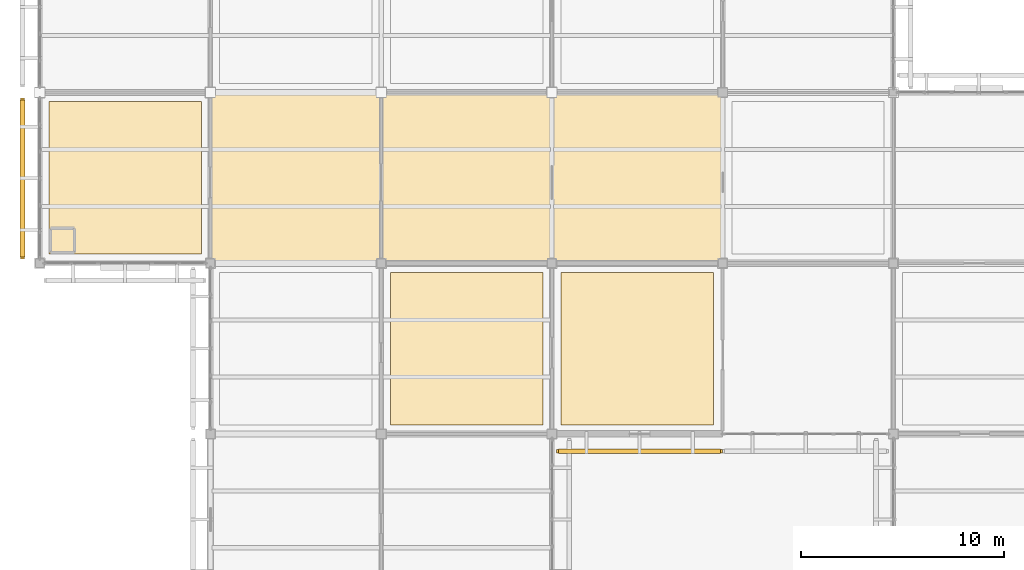
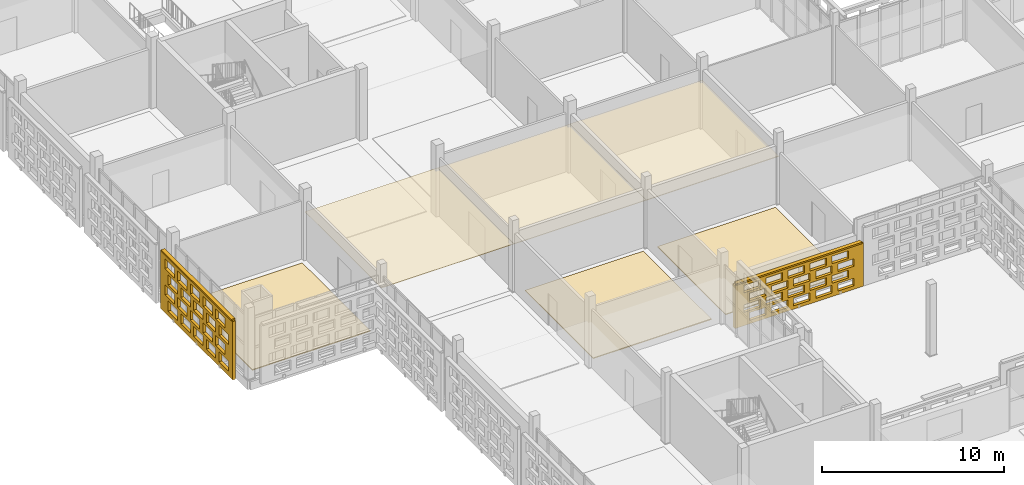
# One storey, part 143 of 203: 8 coverings, 2 shading devices, 40 openings.
"""IFC4 building model written with IfcOpenShell, lengths in metres."""

from ifc_helpers import new_model, si_unit, direction, frame, frame_2d, origin, origin_2d, place, context, subcontext, project, spatial, rectangle, extrude, material, layer, layer_set, type_object, element, save


model = new_model("IFC4")

# Units and contexts
model_context = context("Model", 3, precision=1e-05, world=origin(), true_north=direction((0.0, 1.0)))
body_context = subcontext(model_context, "Body", "Model", "MODEL_VIEW")
ifc_project = project(units=[si_unit("LENGTHUNIT", "METRE"), si_unit("AREAUNIT", "SQUARE_METRE"), si_unit("VOLUMEUNIT", "CUBIC_METRE"), si_unit("PLANEANGLEUNIT", "RADIAN"), si_unit("MASSUNIT", "GRAM", prefix="KILO")], contexts=[model_context])

# Site, building, storey
site_placement = place(None, origin())
site = spatial("IfcSite", under=ifc_project, at=site_placement, CompositionType="ELEMENT")
building_placement = place(site_placement, origin())
building = spatial("IfcBuilding", under=site, at=building_placement, Name="Varnapada Polytechnic", CompositionType="ELEMENT")
storey_placement = place(building_placement, frame((0.0, 0.0, 4.800048828125)))
storey = spatial("IfcBuildingStorey", under=building, at=storey_placement, Name="L01", CompositionType="ELEMENT", Elevation=4.800048828125)

# Coverings
ifc_material_1 = material(Name="Anti-Static Raised Laboratory Flooring")
ifc_layer_1 = layer(ifc_material_1, 0.06005859375)
ifc_layer_set_1 = layer_set([ifc_layer_1], Name="Anti-Static Raised Laboratory Flooring")
covering_type_1 = type_object("IfcCoveringType", Name="Floor Finish FLR-02", PredefinedType="FLOORING", material=ifc_layer_set_1)
for number, where, z_axis, x_axis, name in (
    (1, (4.199951171875, 46.199951171875, 0.0), (0.0, 0.0, 1.0), (1.0, 0.0, 0.0), "L01 floor finish panel (1,6)"),
    (2, (21.0, 37.800048828125, 0.0), (0.0, 0.0, 1.0), (1.0, 0.0, 0.0), "L01 floor finish panel (3,5)"),
    (3, (29.39990234375, 37.800048828125, 0.0), (0.0, 0.0, 1.0), (1.0, 0.0, 0.0), "L01 floor finish panel (4,5)"),
):
    element("IfcCovering", number, at=place(storey_placement, frame(where, z_axis=z_axis, x_axis=x_axis)), inside=storey, type_object=covering_type_1, Name=name, PredefinedType="FLOORING", context=body_context, shape_type="SweptSolid", body=[
        extrude(rectangle(XDim=7.5, YDim=7.5, at=origin_2d()), origin(), (0.0, 0.0, 1.0), 0.06005859375),
    ])
ifc_material_2 = material(Name="Moisture-Resistant Aluminum Baffle Ceiling", Category="aluminium")
ifc_layer_2 = layer(ifc_material_2, 0.030029296875)
ifc_layer_set_2 = layer_set([ifc_layer_2], Name="Moisture-Resistant Aluminum Baffle Ceiling")
covering_type_2 = type_object("IfcCoveringType", Name="Suspended Ceiling CLG-03", PredefinedType="CEILING", material=ifc_layer_set_2)
covering_1_placement = place(storey_placement, frame((12.60009765625, 46.199951171875, 3.03515625), z_axis=(0.0, 0.0, 1.0), x_axis=(1.0, 0.0, 0.0)))
element("IfcCovering", 4, at=covering_1_placement, inside=storey, type_object=covering_type_2, Name="L01 suspended acoustic ceiling (2,6)", PredefinedType="CEILING", context=body_context, shape_type="SweptSolid", body=[
    extrude(rectangle(XDim=8.419921875, YDim=8.419921875, at=origin_2d()), origin(), (0.0, 0.0, 1.0), 0.030029296875),
])
ifc_material_3 = material(Name="Micro-Perforated Gypsum Acoustic Ceiling")
ifc_layer_3 = layer(ifc_material_3, 0.044921875)
ifc_layer_set_3 = layer_set([ifc_layer_3], Name="Micro-Perforated Gypsum Acoustic Ceiling")
covering_type_3 = type_object("IfcCoveringType", Name="Suspended Ceiling CLG-04", PredefinedType="CEILING", material=ifc_layer_set_3)
covering_2_placement = place(storey_placement, frame((29.39990234375, 46.199951171875, 3.027587890625), z_axis=(0.0, 0.0, 1.0), x_axis=(1.0, 0.0, 0.0)))
element("IfcCovering", 5, at=covering_2_placement, inside=storey, type_object=covering_type_3, Name="L01 suspended acoustic ceiling (4,6)", PredefinedType="CEILING", context=body_context, shape_type="SweptSolid", body=[
    extrude(rectangle(XDim=8.419921875, YDim=8.419921875, at=origin_2d()), origin(), (0.0, 0.0, 1.0), 0.044921875),
])
ifc_material_4 = material(Name="Cleanroom Laboratory Metal Pan Ceiling")
ifc_layer_4 = layer(ifc_material_4, 0.034912109375)
ifc_layer_set_4 = layer_set([ifc_layer_4], Name="Cleanroom Laboratory Metal Pan Ceiling")
covering_type_4 = type_object("IfcCoveringType", Name="Suspended Ceiling CLG-06", PredefinedType="CEILING", material=ifc_layer_set_4)
covering_3_placement = place(storey_placement, frame((21.0, 46.199951171875, 3.03271484375), z_axis=(0.0, 0.0, 1.0), x_axis=(1.0, 0.0, 0.0)))
element("IfcCovering", 6, at=covering_3_placement, inside=storey, type_object=covering_type_4, Name="L01 suspended acoustic ceiling (3,6)", PredefinedType="CEILING", context=body_context, shape_type="SweptSolid", body=[
    extrude(rectangle(XDim=8.419921875, YDim=8.419921875, at=origin_2d()), origin(), (0.0, 0.0, 1.0), 0.034912109375),
])

# Covering, openings
ifc_material_5 = material(Name="Earth-toned architectural terracotta screen block", Category="masonry")
ifc_layer_5 = layer(ifc_material_5, 0.1201171875)
ifc_layer_set_5 = layer_set([ifc_layer_5], Name="Earth-toned architectural terracotta screen block")
covering_type_5 = type_object("IfcCoveringType", Name="Terracotta Screen Cladding CLD-01", PredefinedType="CLADDING", material=ifc_layer_set_5)
covering_4_placement = place(storey_placement, frame((-0.85009765625, 42.2099609375, 0.0), z_axis=(0.0, 0.0, 1.0), x_axis=(0.0, 1.0, 0.0)))
covering_4 = element("IfcCovering", 7, at=covering_4_placement, inside=storey, type_object=covering_type_5, Name="L01 perforated terracotta block screen (2)", PredefinedType="CLADDING", context=body_context, shape_type="SweptSolid", body=[
    extrude(rectangle(XDim=7.929931640625, YDim=0.179931640625, at=frame_2d((3.96484375, 0.0))), origin(), (0.0, 0.0, 1.0), 3.919921875),
])
opening_1_placement = place(covering_4_placement, frame((0.465087890625, 0.0, 0.313720703125)))
element("IfcOpeningElement", 8, at=opening_1_placement, cuts=covering_4, Name="Screen perforation TBS-L01-001.1", PredefinedType="OPENING", context=body_context, shape_type="SweptSolid", body=[
    extrude(rectangle(XDim=1.0400390625, YDim=0.679931640625, at=frame_2d((0.52001953125, 0.33984375))), frame((0.0, 0.099853515625, 0.0), z_axis=(0.0, -1.0, 0.0), x_axis=(1.0, 0.0, 0.0)), (0.0, 0.0, 1.0), 0.199951171875),
])
opening_2_placement = place(covering_4_placement, frame((1.864990234375, 0.0, 0.313720703125)))
element("IfcOpeningElement", 9, at=opening_2_placement, cuts=covering_4, Name="Screen perforation TBS-L01-001.2", PredefinedType="OPENING", context=body_context, shape_type="SweptSolid", body=[
    extrude(rectangle(XDim=1.0400390625, YDim=0.679931640625, at=frame_2d((0.52001953125, 0.33984375))), frame((0.0, 0.099853515625, 0.0), z_axis=(0.0, -1.0, 0.0), x_axis=(1.0, 0.0, 0.0)), (0.0, 0.0, 1.0), 0.199951171875),
])
opening_3_placement = place(covering_4_placement, frame((3.264892578125, 0.0, 0.313720703125)))
element("IfcOpeningElement", 10, at=opening_3_placement, cuts=covering_4, Name="Screen perforation TBS-L01-001.3", PredefinedType="OPENING", context=body_context, shape_type="SweptSolid", body=[
    extrude(rectangle(XDim=1.0400390625, YDim=0.679931640625, at=frame_2d((0.52001953125, 0.33984375))), frame((0.0, 0.099853515625, 0.0), z_axis=(0.0, -1.0, 0.0), x_axis=(1.0, 0.0, 0.0)), (0.0, 0.0, 1.0), 0.199951171875),
])
opening_4_placement = place(covering_4_placement, frame((4.6650390625, 0.0, 0.313720703125)))
element("IfcOpeningElement", 11, at=opening_4_placement, cuts=covering_4, Name="Screen perforation TBS-L01-001.4", PredefinedType="OPENING", context=body_context, shape_type="SweptSolid", body=[
    extrude(rectangle(XDim=1.0400390625, YDim=0.679931640625, at=frame_2d((0.52001953125, 0.33984375))), frame((0.0, 0.099853515625, 0.0), z_axis=(0.0, -1.0, 0.0), x_axis=(1.0, 0.0, 0.0)), (0.0, 0.0, 1.0), 0.199951171875),
])
opening_5_placement = place(covering_4_placement, frame((6.06494140625, 0.0, 0.313720703125)))
element("IfcOpeningElement", 12, at=opening_5_placement, cuts=covering_4, Name="Screen perforation TBS-L01-001.5", PredefinedType="OPENING", context=body_context, shape_type="SweptSolid", body=[
    extrude(rectangle(XDim=1.0400390625, YDim=0.679931640625, at=frame_2d((0.52001953125, 0.33984375))), frame((0.0, 0.099853515625, 0.0), z_axis=(0.0, -1.0, 0.0), x_axis=(1.0, 0.0, 0.0)), (0.0, 0.0, 1.0), 0.199951171875),
])
opening_6_placement = place(covering_4_placement, frame((0.824951171875, 0.0, 1.195556640625)))
element("IfcOpeningElement", 13, at=opening_6_placement, cuts=covering_4, Name="Screen perforation TBS-L01-001.6", PredefinedType="OPENING", context=body_context, shape_type="SweptSolid", body=[
    extrude(rectangle(XDim=1.0400390625, YDim=0.679931640625, at=frame_2d((0.52001953125, 0.33984375))), frame((0.0, 0.099853515625, 0.0), z_axis=(0.0, -1.0, 0.0), x_axis=(1.0, 0.0, 0.0)), (0.0, 0.0, 1.0), 0.199951171875),
])
opening_7_placement = place(covering_4_placement, frame((2.22509765625, 0.0, 1.195556640625)))
element("IfcOpeningElement", 14, at=opening_7_placement, cuts=covering_4, Name="Screen perforation TBS-L01-001.7", PredefinedType="OPENING", context=body_context, shape_type="SweptSolid", body=[
    extrude(rectangle(XDim=1.0400390625, YDim=0.679931640625, at=frame_2d((0.52001953125, 0.33984375))), frame((0.0, 0.099853515625, 0.0), z_axis=(0.0, -1.0, 0.0), x_axis=(1.0, 0.0, 0.0)), (0.0, 0.0, 1.0), 0.199951171875),
])
opening_8_placement = place(covering_4_placement, frame((3.625, 0.0, 1.195556640625)))
element("IfcOpeningElement", 15, at=opening_8_placement, cuts=covering_4, Name="Screen perforation TBS-L01-001.8", PredefinedType="OPENING", context=body_context, shape_type="SweptSolid", body=[
    extrude(rectangle(XDim=1.0400390625, YDim=0.679931640625, at=frame_2d((0.52001953125, 0.33984375))), frame((0.0, 0.099853515625, 0.0), z_axis=(0.0, -1.0, 0.0), x_axis=(1.0, 0.0, 0.0)), (0.0, 0.0, 1.0), 0.199951171875),
])
opening_9_placement = place(covering_4_placement, frame((5.02490234375, 0.0, 1.195556640625)))
element("IfcOpeningElement", 16, at=opening_9_placement, cuts=covering_4, Name="Screen perforation TBS-L01-001.9", PredefinedType="OPENING", context=body_context, shape_type="SweptSolid", body=[
    extrude(rectangle(XDim=1.0400390625, YDim=0.679931640625, at=frame_2d((0.52001953125, 0.33984375))), frame((0.0, 0.099853515625, 0.0), z_axis=(0.0, -1.0, 0.0), x_axis=(1.0, 0.0, 0.0)), (0.0, 0.0, 1.0), 0.199951171875),
])
opening_10_placement = place(covering_4_placement, frame((6.425048828125, 0.0, 1.195556640625)))
element("IfcOpeningElement", 17, at=opening_10_placement, cuts=covering_4, Name="Screen perforation TBS-L01-001.10", PredefinedType="OPENING", context=body_context, shape_type="SweptSolid", body=[
    extrude(rectangle(XDim=1.0400390625, YDim=0.679931640625, at=frame_2d((0.52001953125, 0.33984375))), frame((0.0, 0.099853515625, 0.0), z_axis=(0.0, -1.0, 0.0), x_axis=(1.0, 0.0, 0.0)), (0.0, 0.0, 1.0), 0.199951171875),
])
opening_11_placement = place(covering_4_placement, frame((0.465087890625, 0.0, 2.07763671875)))
element("IfcOpeningElement", 18, at=opening_11_placement, cuts=covering_4, Name="Screen perforation TBS-L01-001.11", PredefinedType="OPENING", context=body_context, shape_type="SweptSolid", body=[
    extrude(rectangle(XDim=1.0400390625, YDim=0.679931640625, at=frame_2d((0.52001953125, 0.33984375))), frame((0.0, 0.099853515625, 0.0), z_axis=(0.0, -1.0, 0.0), x_axis=(1.0, 0.0, 0.0)), (0.0, 0.0, 1.0), 0.199951171875),
])
opening_12_placement = place(covering_4_placement, frame((1.864990234375, 0.0, 2.07763671875)))
element("IfcOpeningElement", 19, at=opening_12_placement, cuts=covering_4, Name="Screen perforation TBS-L01-001.12", PredefinedType="OPENING", context=body_context, shape_type="SweptSolid", body=[
    extrude(rectangle(XDim=1.0400390625, YDim=0.679931640625, at=frame_2d((0.52001953125, 0.33984375))), frame((0.0, 0.099853515625, 0.0), z_axis=(0.0, -1.0, 0.0), x_axis=(1.0, 0.0, 0.0)), (0.0, 0.0, 1.0), 0.199951171875),
])
opening_13_placement = place(covering_4_placement, frame((3.264892578125, 0.0, 2.07763671875)))
element("IfcOpeningElement", 20, at=opening_13_placement, cuts=covering_4, Name="Screen perforation TBS-L01-001.13", PredefinedType="OPENING", context=body_context, shape_type="SweptSolid", body=[
    extrude(rectangle(XDim=1.0400390625, YDim=0.679931640625, at=frame_2d((0.52001953125, 0.33984375))), frame((0.0, 0.099853515625, 0.0), z_axis=(0.0, -1.0, 0.0), x_axis=(1.0, 0.0, 0.0)), (0.0, 0.0, 1.0), 0.199951171875),
])
opening_14_placement = place(covering_4_placement, frame((4.6650390625, 0.0, 2.07763671875)))
element("IfcOpeningElement", 21, at=opening_14_placement, cuts=covering_4, Name="Screen perforation TBS-L01-001.14", PredefinedType="OPENING", context=body_context, shape_type="SweptSolid", body=[
    extrude(rectangle(XDim=1.0400390625, YDim=0.679931640625, at=frame_2d((0.52001953125, 0.33984375))), frame((0.0, 0.099853515625, 0.0), z_axis=(0.0, -1.0, 0.0), x_axis=(1.0, 0.0, 0.0)), (0.0, 0.0, 1.0), 0.199951171875),
])
opening_15_placement = place(covering_4_placement, frame((6.06494140625, 0.0, 2.07763671875)))
element("IfcOpeningElement", 22, at=opening_15_placement, cuts=covering_4, Name="Screen perforation TBS-L01-001.15", PredefinedType="OPENING", context=body_context, shape_type="SweptSolid", body=[
    extrude(rectangle(XDim=1.0400390625, YDim=0.679931640625, at=frame_2d((0.52001953125, 0.33984375))), frame((0.0, 0.099853515625, 0.0), z_axis=(0.0, -1.0, 0.0), x_axis=(1.0, 0.0, 0.0)), (0.0, 0.0, 1.0), 0.199951171875),
])
opening_16_placement = place(covering_4_placement, frame((0.824951171875, 0.0, 2.959716796875)))
element("IfcOpeningElement", 23, at=opening_16_placement, cuts=covering_4, Name="Screen perforation TBS-L01-001.16", PredefinedType="OPENING", context=body_context, shape_type="SweptSolid", body=[
    extrude(rectangle(XDim=1.0400390625, YDim=0.679931640625, at=frame_2d((0.52001953125, 0.33984375))), frame((0.0, 0.099853515625, 0.0), z_axis=(0.0, -1.0, 0.0), x_axis=(1.0, 0.0, 0.0)), (0.0, 0.0, 1.0), 0.199951171875),
])
opening_17_placement = place(covering_4_placement, frame((2.22509765625, 0.0, 2.959716796875)))
element("IfcOpeningElement", 24, at=opening_17_placement, cuts=covering_4, Name="Screen perforation TBS-L01-001.17", PredefinedType="OPENING", context=body_context, shape_type="SweptSolid", body=[
    extrude(rectangle(XDim=1.0400390625, YDim=0.679931640625, at=frame_2d((0.52001953125, 0.33984375))), frame((0.0, 0.099853515625, 0.0), z_axis=(0.0, -1.0, 0.0), x_axis=(1.0, 0.0, 0.0)), (0.0, 0.0, 1.0), 0.199951171875),
])
opening_18_placement = place(covering_4_placement, frame((3.625, 0.0, 2.959716796875)))
element("IfcOpeningElement", 25, at=opening_18_placement, cuts=covering_4, Name="Screen perforation TBS-L01-001.18", PredefinedType="OPENING", context=body_context, shape_type="SweptSolid", body=[
    extrude(rectangle(XDim=1.0400390625, YDim=0.679931640625, at=frame_2d((0.52001953125, 0.33984375))), frame((0.0, 0.099853515625, 0.0), z_axis=(0.0, -1.0, 0.0), x_axis=(1.0, 0.0, 0.0)), (0.0, 0.0, 1.0), 0.199951171875),
])
opening_19_placement = place(covering_4_placement, frame((5.02490234375, 0.0, 2.959716796875)))
element("IfcOpeningElement", 26, at=opening_19_placement, cuts=covering_4, Name="Screen perforation TBS-L01-001.19", PredefinedType="OPENING", context=body_context, shape_type="SweptSolid", body=[
    extrude(rectangle(XDim=1.0400390625, YDim=0.679931640625, at=frame_2d((0.52001953125, 0.33984375))), frame((0.0, 0.099853515625, 0.0), z_axis=(0.0, -1.0, 0.0), x_axis=(1.0, 0.0, 0.0)), (0.0, 0.0, 1.0), 0.199951171875),
])
opening_20_placement = place(covering_4_placement, frame((6.425048828125, 0.0, 2.959716796875)))
element("IfcOpeningElement", 27, at=opening_20_placement, cuts=covering_4, Name="Screen perforation TBS-L01-001.20", PredefinedType="OPENING", context=body_context, shape_type="SweptSolid", body=[
    extrude(rectangle(XDim=1.0400390625, YDim=0.679931640625, at=frame_2d((0.52001953125, 0.33984375))), frame((0.0, 0.099853515625, 0.0), z_axis=(0.0, -1.0, 0.0), x_axis=(1.0, 0.0, 0.0)), (0.0, 0.0, 1.0), 0.199951171875),
])

covering_5_placement = place(storey_placement, frame((33.60009765625, 32.75, 0.0), z_axis=(0.0, 0.0, 1.0), x_axis=(-1.0, 0.0, 0.0)))
covering_5 = element("IfcCovering", 28, at=covering_5_placement, inside=storey, type_object=covering_type_5, Name="L01 perforated terracotta block screen (26)", PredefinedType="CLADDING", context=body_context, shape_type="SweptSolid", body=[
    extrude(rectangle(XDim=8.170166015625, YDim=0.179931640625, at=frame_2d((4.0849609375, 0.0))), origin(), (0.0, 0.0, 1.0), 2.909912109375),
])
opening_21_placement = place(covering_5_placement, frame((0.5849609375, 0.0, 0.23291015625)))
element("IfcOpeningElement", 29, at=opening_21_placement, cuts=covering_5, Name="Screen perforation TBS-L01-025.1", PredefinedType="OPENING", context=body_context, shape_type="SweptSolid", body=[
    extrude(rectangle(XDim=1.0400390625, YDim=0.50927734375, at=frame_2d((0.52001953125, 0.254638671875))), frame((0.0, 0.099853515625, 0.0), z_axis=(0.0, -1.0, 0.0), x_axis=(1.0, 0.0, 0.0)), (0.0, 0.0, 1.0), 0.199951171875),
])
opening_22_placement = place(covering_5_placement, frame((1.985107421875, 0.0, 0.23291015625)))
element("IfcOpeningElement", 30, at=opening_22_placement, cuts=covering_5, Name="Screen perforation TBS-L01-025.2", PredefinedType="OPENING", context=body_context, shape_type="SweptSolid", body=[
    extrude(rectangle(XDim=1.0400390625, YDim=0.50927734375, at=frame_2d((0.52001953125, 0.254638671875))), frame((0.0, 0.099853515625, 0.0), z_axis=(0.0, -1.0, 0.0), x_axis=(1.0, 0.0, 0.0)), (0.0, 0.0, 1.0), 0.199951171875),
])
opening_23_placement = place(covering_5_placement, frame((3.385009765625, 0.0, 0.23291015625)))
element("IfcOpeningElement", 31, at=opening_23_placement, cuts=covering_5, Name="Screen perforation TBS-L01-025.3", PredefinedType="OPENING", context=body_context, shape_type="SweptSolid", body=[
    extrude(rectangle(XDim=1.0400390625, YDim=0.50927734375, at=frame_2d((0.52001953125, 0.254638671875))), frame((0.0, 0.099853515625, 0.0), z_axis=(0.0, -1.0, 0.0), x_axis=(1.0, 0.0, 0.0)), (0.0, 0.0, 1.0), 0.199951171875),
])
opening_24_placement = place(covering_5_placement, frame((4.784912109375, 0.0, 0.23291015625)))
element("IfcOpeningElement", 32, at=opening_24_placement, cuts=covering_5, Name="Screen perforation TBS-L01-025.4", PredefinedType="OPENING", context=body_context, shape_type="SweptSolid", body=[
    extrude(rectangle(XDim=1.0400390625, YDim=0.50927734375, at=frame_2d((0.52001953125, 0.254638671875))), frame((0.0, 0.099853515625, 0.0), z_axis=(0.0, -1.0, 0.0), x_axis=(1.0, 0.0, 0.0)), (0.0, 0.0, 1.0), 0.199951171875),
])
opening_25_placement = place(covering_5_placement, frame((6.18505859375, 0.0, 0.23291015625)))
element("IfcOpeningElement", 33, at=opening_25_placement, cuts=covering_5, Name="Screen perforation TBS-L01-025.5", PredefinedType="OPENING", context=body_context, shape_type="SweptSolid", body=[
    extrude(rectangle(XDim=1.0400390625, YDim=0.50927734375, at=frame_2d((0.52001953125, 0.254638671875))), frame((0.0, 0.099853515625, 0.0), z_axis=(0.0, -1.0, 0.0), x_axis=(1.0, 0.0, 0.0)), (0.0, 0.0, 1.0), 0.199951171875),
])
opening_26_placement = place(covering_5_placement, frame((0.945068359375, 0.0, 0.8876953125)))
element("IfcOpeningElement", 34, at=opening_26_placement, cuts=covering_5, Name="Screen perforation TBS-L01-025.6", PredefinedType="OPENING", context=body_context, shape_type="SweptSolid", body=[
    extrude(rectangle(XDim=1.0400390625, YDim=0.50927734375, at=frame_2d((0.52001953125, 0.254638671875))), frame((0.0, 0.099853515625, 0.0), z_axis=(0.0, -1.0, 0.0), x_axis=(1.0, 0.0, 0.0)), (0.0, 0.0, 1.0), 0.199951171875),
])
opening_27_placement = place(covering_5_placement, frame((2.344970703125, 0.0, 0.8876953125)))
element("IfcOpeningElement", 35, at=opening_27_placement, cuts=covering_5, Name="Screen perforation TBS-L01-025.7", PredefinedType="OPENING", context=body_context, shape_type="SweptSolid", body=[
    extrude(rectangle(XDim=1.0400390625, YDim=0.50927734375, at=frame_2d((0.52001953125, 0.254638671875))), frame((0.0, 0.099853515625, 0.0), z_axis=(0.0, -1.0, 0.0), x_axis=(1.0, 0.0, 0.0)), (0.0, 0.0, 1.0), 0.199951171875),
])
opening_28_placement = place(covering_5_placement, frame((3.7451171875, 0.0, 0.8876953125)))
element("IfcOpeningElement", 36, at=opening_28_placement, cuts=covering_5, Name="Screen perforation TBS-L01-025.8", PredefinedType="OPENING", context=body_context, shape_type="SweptSolid", body=[
    extrude(rectangle(XDim=1.0400390625, YDim=0.50927734375, at=frame_2d((0.52001953125, 0.254638671875))), frame((0.0, 0.099853515625, 0.0), z_axis=(0.0, -1.0, 0.0), x_axis=(1.0, 0.0, 0.0)), (0.0, 0.0, 1.0), 0.199951171875),
])
opening_29_placement = place(covering_5_placement, frame((5.14501953125, 0.0, 0.8876953125)))
element("IfcOpeningElement", 37, at=opening_29_placement, cuts=covering_5, Name="Screen perforation TBS-L01-025.9", PredefinedType="OPENING", context=body_context, shape_type="SweptSolid", body=[
    extrude(rectangle(XDim=1.0400390625, YDim=0.50927734375, at=frame_2d((0.52001953125, 0.254638671875))), frame((0.0, 0.099853515625, 0.0), z_axis=(0.0, -1.0, 0.0), x_axis=(1.0, 0.0, 0.0)), (0.0, 0.0, 1.0), 0.199951171875),
])
opening_30_placement = place(covering_5_placement, frame((6.544921875, 0.0, 0.8876953125)))
element("IfcOpeningElement", 38, at=opening_30_placement, cuts=covering_5, Name="Screen perforation TBS-L01-025.10", PredefinedType="OPENING", context=body_context, shape_type="SweptSolid", body=[
    extrude(rectangle(XDim=1.0400390625, YDim=0.50927734375, at=frame_2d((0.52001953125, 0.254638671875))), frame((0.0, 0.099853515625, 0.0), z_axis=(0.0, -1.0, 0.0), x_axis=(1.0, 0.0, 0.0)), (0.0, 0.0, 1.0), 0.199951171875),
])
opening_31_placement = place(covering_5_placement, frame((0.5849609375, 0.0, 1.542236328125)))
element("IfcOpeningElement", 39, at=opening_31_placement, cuts=covering_5, Name="Screen perforation TBS-L01-025.11", PredefinedType="OPENING", context=body_context, shape_type="SweptSolid", body=[
    extrude(rectangle(XDim=1.0400390625, YDim=0.50927734375, at=frame_2d((0.52001953125, 0.254638671875))), frame((0.0, 0.099853515625, 0.0), z_axis=(0.0, -1.0, 0.0), x_axis=(1.0, 0.0, 0.0)), (0.0, 0.0, 1.0), 0.199951171875),
])
opening_32_placement = place(covering_5_placement, frame((1.985107421875, 0.0, 1.542236328125)))
element("IfcOpeningElement", 40, at=opening_32_placement, cuts=covering_5, Name="Screen perforation TBS-L01-025.12", PredefinedType="OPENING", context=body_context, shape_type="SweptSolid", body=[
    extrude(rectangle(XDim=1.0400390625, YDim=0.50927734375, at=frame_2d((0.52001953125, 0.254638671875))), frame((0.0, 0.099853515625, 0.0), z_axis=(0.0, -1.0, 0.0), x_axis=(1.0, 0.0, 0.0)), (0.0, 0.0, 1.0), 0.199951171875),
])
opening_33_placement = place(covering_5_placement, frame((3.385009765625, 0.0, 1.542236328125)))
element("IfcOpeningElement", 41, at=opening_33_placement, cuts=covering_5, Name="Screen perforation TBS-L01-025.13", PredefinedType="OPENING", context=body_context, shape_type="SweptSolid", body=[
    extrude(rectangle(XDim=1.0400390625, YDim=0.50927734375, at=frame_2d((0.52001953125, 0.254638671875))), frame((0.0, 0.099853515625, 0.0), z_axis=(0.0, -1.0, 0.0), x_axis=(1.0, 0.0, 0.0)), (0.0, 0.0, 1.0), 0.199951171875),
])
opening_34_placement = place(covering_5_placement, frame((4.784912109375, 0.0, 1.542236328125)))
element("IfcOpeningElement", 42, at=opening_34_placement, cuts=covering_5, Name="Screen perforation TBS-L01-025.14", PredefinedType="OPENING", context=body_context, shape_type="SweptSolid", body=[
    extrude(rectangle(XDim=1.0400390625, YDim=0.50927734375, at=frame_2d((0.52001953125, 0.254638671875))), frame((0.0, 0.099853515625, 0.0), z_axis=(0.0, -1.0, 0.0), x_axis=(1.0, 0.0, 0.0)), (0.0, 0.0, 1.0), 0.199951171875),
])
opening_35_placement = place(covering_5_placement, frame((6.18505859375, 0.0, 1.542236328125)))
element("IfcOpeningElement", 43, at=opening_35_placement, cuts=covering_5, Name="Screen perforation TBS-L01-025.15", PredefinedType="OPENING", context=body_context, shape_type="SweptSolid", body=[
    extrude(rectangle(XDim=1.0400390625, YDim=0.50927734375, at=frame_2d((0.52001953125, 0.254638671875))), frame((0.0, 0.099853515625, 0.0), z_axis=(0.0, -1.0, 0.0), x_axis=(1.0, 0.0, 0.0)), (0.0, 0.0, 1.0), 0.199951171875),
])
opening_36_placement = place(covering_5_placement, frame((0.945068359375, 0.0, 2.197021484375)))
element("IfcOpeningElement", 44, at=opening_36_placement, cuts=covering_5, Name="Screen perforation TBS-L01-025.16", PredefinedType="OPENING", context=body_context, shape_type="SweptSolid", body=[
    extrude(rectangle(XDim=1.0400390625, YDim=0.50927734375, at=frame_2d((0.52001953125, 0.254638671875))), frame((0.0, 0.099853515625, 0.0), z_axis=(0.0, -1.0, 0.0), x_axis=(1.0, 0.0, 0.0)), (0.0, 0.0, 1.0), 0.199951171875),
])
opening_37_placement = place(covering_5_placement, frame((2.344970703125, 0.0, 2.197021484375)))
element("IfcOpeningElement", 45, at=opening_37_placement, cuts=covering_5, Name="Screen perforation TBS-L01-025.17", PredefinedType="OPENING", context=body_context, shape_type="SweptSolid", body=[
    extrude(rectangle(XDim=1.0400390625, YDim=0.50927734375, at=frame_2d((0.52001953125, 0.254638671875))), frame((0.0, 0.099853515625, 0.0), z_axis=(0.0, -1.0, 0.0), x_axis=(1.0, 0.0, 0.0)), (0.0, 0.0, 1.0), 0.199951171875),
])
opening_38_placement = place(covering_5_placement, frame((3.7451171875, 0.0, 2.197021484375)))
element("IfcOpeningElement", 46, at=opening_38_placement, cuts=covering_5, Name="Screen perforation TBS-L01-025.18", PredefinedType="OPENING", context=body_context, shape_type="SweptSolid", body=[
    extrude(rectangle(XDim=1.0400390625, YDim=0.50927734375, at=frame_2d((0.52001953125, 0.254638671875))), frame((0.0, 0.099853515625, 0.0), z_axis=(0.0, -1.0, 0.0), x_axis=(1.0, 0.0, 0.0)), (0.0, 0.0, 1.0), 0.199951171875),
])
opening_39_placement = place(covering_5_placement, frame((5.14501953125, 0.0, 2.197021484375)))
element("IfcOpeningElement", 47, at=opening_39_placement, cuts=covering_5, Name="Screen perforation TBS-L01-025.19", PredefinedType="OPENING", context=body_context, shape_type="SweptSolid", body=[
    extrude(rectangle(XDim=1.0400390625, YDim=0.50927734375, at=frame_2d((0.52001953125, 0.254638671875))), frame((0.0, 0.099853515625, 0.0), z_axis=(0.0, -1.0, 0.0), x_axis=(1.0, 0.0, 0.0)), (0.0, 0.0, 1.0), 0.199951171875),
])
opening_40_placement = place(covering_5_placement, frame((6.544921875, 0.0, 2.197021484375)))
element("IfcOpeningElement", 48, at=opening_40_placement, cuts=covering_5, Name="Screen perforation TBS-L01-025.20", PredefinedType="OPENING", context=body_context, shape_type="SweptSolid", body=[
    extrude(rectangle(XDim=1.0400390625, YDim=0.50927734375, at=frame_2d((0.52001953125, 0.254638671875))), frame((0.0, 0.099853515625, 0.0), z_axis=(0.0, -1.0, 0.0), x_axis=(1.0, 0.0, 0.0)), (0.0, 0.0, 1.0), 0.199951171875),
])

# Shading devices
ifc_layer_6 = layer(ifc_material_5, 0.179931640625)
ifc_layer_set_6 = layer_set([ifc_layer_6], Name="Earth-toned architectural terracotta screen block")
shading_device_type = type_object("IfcShadingDeviceType", Name="Terracotta Screen SCR-02", PredefinedType="USERDEFINED", material=ifc_layer_set_6)
shading_device_1_placement = place(storey_placement, frame((-0.85009765625, 46.175048828125, 3.909912109375), z_axis=(0.0, 0.0, 1.0), x_axis=(0.0, 1.0, 0.0)))
element("IfcShadingDevice", 49, at=shading_device_1_placement, inside=storey, type_object=shading_device_type, Name="L01 perforated terracotta screen hood 85", ObjectType="SCREEN", PredefinedType="USERDEFINED", context=body_context, shape_type="SweptSolid", body=[
    extrude(rectangle(XDim=7.72998046875, YDim=0.239990234375, at=origin_2d()), origin(), (0.0, 0.0, 1.0), 0.10009765625),
])
shading_device_2_placement = place(storey_placement, frame((29.514892578125, 32.75, 2.89990234375), z_axis=(0.0, 0.0, 1.0), x_axis=(-1.0, 0.0, 0.0)))
element("IfcShadingDevice", 50, at=shading_device_2_placement, inside=storey, type_object=shading_device_type, Name="L01 perforated terracotta screen hood 107", ObjectType="SCREEN", PredefinedType="USERDEFINED", context=body_context, shape_type="SweptSolid", body=[
    extrude(rectangle(XDim=7.969970703125, YDim=0.239990234375, at=origin_2d()), origin(), (0.0, 0.0, 1.0), 0.10009765625),
])

save(model, "model.ifc")
